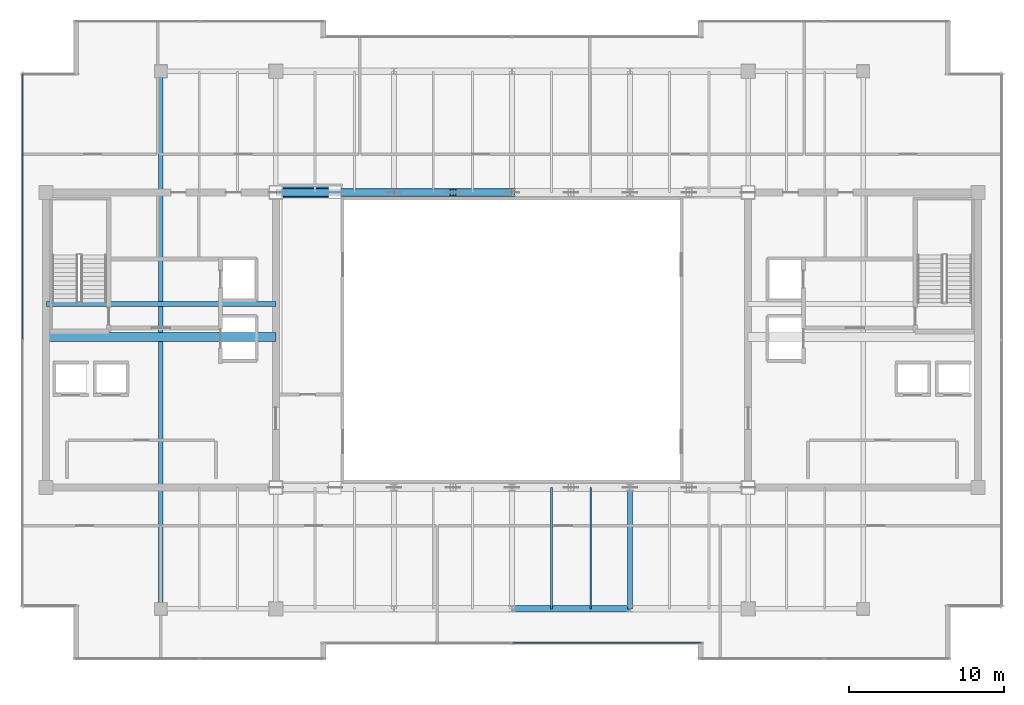
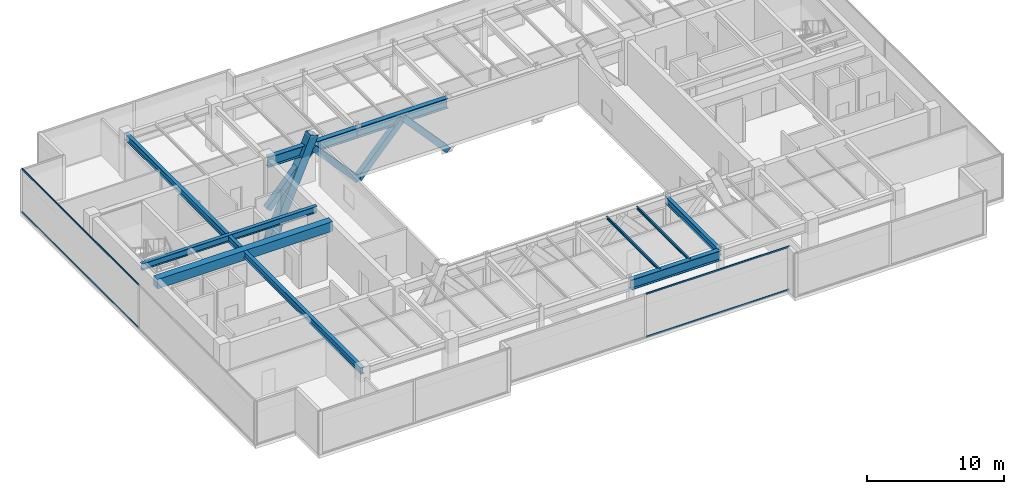
# One storey, part 10 of 32: 9 beams, 9 members, 2 elements without a shape of their own.
"""IFC4 building model written with IfcOpenShell, lengths in metres."""

from ifc_helpers import new_model, si_unit, direction, frame, origin, origin_2d, place, context, subcontext, project, spatial, rectangle, hollow_rectangle, i_section, extrude, source, transform, mapped, material, layer, layer_set, material_profile, profile_set, type_object, type_shapes, element, aggregate, save


model = new_model("IFC4")

# Units and contexts
model_context = context("Model", 3, precision=1e-05, world=origin(), true_north=direction((0.0, 1.0)))
body_context = subcontext(model_context, "Body", "Model", "MODEL_VIEW")
ifc_project = project(units=[si_unit("LENGTHUNIT", "METRE"), si_unit("AREAUNIT", "SQUARE_METRE"), si_unit("VOLUMEUNIT", "CUBIC_METRE"), si_unit("PLANEANGLEUNIT", "RADIAN"), si_unit("MASSUNIT", "GRAM", prefix="KILO")], contexts=[model_context])

# Site, building, storey
site_placement = place(None, origin())
site = spatial("IfcSite", under=ifc_project, at=site_placement, CompositionType="ELEMENT")
building_placement = place(site_placement, origin())
building = spatial("IfcBuilding", under=site, at=building_placement, Name="Haelvirn Gate Laboratories", CompositionType="ELEMENT")
storey_placement = place(building_placement, frame((0.0, 0.0, 301.800048828125)))
storey = spatial("IfcBuildingStorey", under=building, at=storey_placement, Name="L72", CompositionType="ELEMENT", Elevation=301.800048828125)

# Beams
ifc_material_1 = material(Name="Steel SM355", Category="steel")
ifc_material_profile_1 = material_profile(ifc_material_1, i_section(OverallWidth=0.300048828125, OverallDepth=0.587890625, WebThickness=0.011962890625, FlangeThickness=0.02001953125, at=origin_2d()), Name="H-588x300x12x20")
ifc_profile_set_1 = profile_set([ifc_material_profile_1], Name="Steel SM355")
beam_type_1 = type_object("IfcBeamType", Name="BM-G-588", PredefinedType="BEAM", material=ifc_profile_set_1)
shared_shape_1 = source(origin(), body_context, "Body", "SweptSolid", [
    extrude(i_section(OverallWidth=0.300048828125, OverallDepth=0.587890625, WebThickness=0.011962890625, FlangeThickness=0.02001953125, at=origin_2d()), origin(), (0.0, 0.0, 1.0), 14.800048828125),
])
beam_1_placement = place(storey_placement, frame((7.39990234375, 26.6201171875, 3.60595703125), z_axis=(1.0, 0.0, 0.0), x_axis=(0.0, 1.0, 0.0)))
element("IfcBeam", 1, at=beam_1_placement, inside=storey, type_object=beam_type_1, Name="L72 Stair ST1 Landing Header", PredefinedType="BEAM", context=body_context, shape_type="MappedRepresentation", body=[
    mapped(shared_shape_1, transform((0.0, 0.0, 0.0), scale=1.0)),
])
ifc_material_2 = material(Name="Steel SM420", Category="steel")
ifc_material_profile_2 = material_profile(ifc_material_2, i_section(OverallWidth=0.39990234375, OverallDepth=0.89990234375, WebThickness=0.01904296875, FlangeThickness=0.031982421875, at=origin_2d()), Name="H-900x400x19x32")
ifc_profile_set_2 = profile_set([ifc_material_profile_2], Name="Steel SM420")
beam_type_2 = type_object("IfcBeamType", Name="BM-TG-900", PredefinedType="BEAM", material=ifc_profile_set_2)
shared_shape_2 = source(origin(), body_context, "Body", "SweptSolid", [
    extrude(i_section(OverallWidth=0.39990234375, OverallDepth=0.89990234375, WebThickness=0.01904296875, FlangeThickness=0.031982421875, at=origin_2d()), origin(), (0.0, 0.0, 1.0), 7.60009765625),
])
for number, where, z_axis, x_axis, name in (
    (2, (37.39990234375, 7.0, 3.449951171875), (1.0, 0.0, 0.0), (0.0, 1.0, 0.0), "L72 Primary Girder Y7.0 (37.4-45.0)"),
    (3, (22.199951171875, 33.800048828125, 3.449951171875), (1.0, 0.0, 0.0), (0.0, 1.0, 0.0), "L72 Primary Girder Y33.8 (22.2-29.8)"),
):
    element("IfcBeam", number, at=place(storey_placement, frame(where, z_axis=z_axis, x_axis=x_axis)), inside=storey, type_object=beam_type_2, Name=name, PredefinedType="BEAM", context=body_context, shape_type="MappedRepresentation", body=[
        mapped(shared_shape_2, transform((0.0, 0.0, 0.0), scale=1.0)),
    ])
shared_shape_3 = source(origin(), body_context, "Body", "SweptSolid", [
    extrude(i_section(OverallWidth=0.39990234375, OverallDepth=0.89990234375, WebThickness=0.01904296875, FlangeThickness=0.031982421875, at=origin_2d()), origin(), (0.0, 0.0, 1.0), 7.599853515625),
])
type_shapes(beam_type_2, [shared_shape_2, shared_shape_3])
beam_2_placement = place(storey_placement, frame((29.800048828125, 33.800048828125, 3.449951171875), z_axis=(1.0, 0.0, 0.0), x_axis=(0.0, 1.0, 0.0)))
element("IfcBeam", 4, at=beam_2_placement, inside=storey, type_object=beam_type_2, Name="L72 Primary Girder Y33.8 (29.8-37.4)", PredefinedType="BEAM", context=body_context, shape_type="MappedRepresentation", body=[
    mapped(shared_shape_3, transform((0.0, 0.0, 0.0), scale=1.0)),
])
shared_shape_4 = source(origin(), body_context, "Body", "SweptSolid", [
    extrude(i_section(OverallWidth=0.300048828125, OverallDepth=0.587890625, WebThickness=0.011962890625, FlangeThickness=0.02001953125, at=origin_2d()), origin(), (0.0, 0.0, 1.0), 34.60009765625),
])
beam_3_placement = place(storey_placement, frame((14.800048828125, 7.0, 3.60595703125), z_axis=(0.0, 1.0, 0.0), x_axis=(-1.0, 0.0, 0.0)))
element("IfcBeam", 5, at=beam_3_placement, inside=storey, type_object=beam_type_1, Name="L72 Frame Girder X14.8 (7.0-41.6)", PredefinedType="BEAM", context=body_context, shape_type="MappedRepresentation", body=[
    mapped(shared_shape_4, transform((0.0, 0.0, 0.0), scale=1.0)),
])
shared_shape_5 = source(origin(), body_context, "Body", "SweptSolid", [
    extrude(i_section(OverallWidth=0.300048828125, OverallDepth=0.587890625, WebThickness=0.011962890625, FlangeThickness=0.02001953125, at=origin_2d()), origin(), (0.0, 0.0, 1.0), 7.800048828125),
])
type_shapes(beam_type_1, [shared_shape_1, shared_shape_4, shared_shape_5])
beam_4_placement = place(storey_placement, frame((45.0, 7.0, 3.60595703125), z_axis=(0.0, 1.0, 0.0), x_axis=(-1.0, 0.0, 0.0)))
element("IfcBeam", 6, at=beam_4_placement, inside=storey, type_object=beam_type_1, Name="L72 Frame Girder X45.0 (7.0-14.8)", PredefinedType="BEAM", context=body_context, shape_type="MappedRepresentation", body=[
    mapped(shared_shape_5, transform((0.0, 0.0, 0.0), scale=1.0)),
])
ifc_material_3 = material(Name="Concrete C50/60", Category="concrete")
ifc_material_profile_3 = material_profile(ifc_material_3, rectangle(XDim=0.60009765625, YDim=0.85009765625, at=origin_2d()), Name="RCB-600x850")
ifc_profile_set_3 = profile_set([ifc_material_profile_3], Name="Concrete C50/60")
beam_type_3 = type_object("IfcBeamType", Name="BM-RCB-850", PredefinedType="LINTEL", material=ifc_profile_set_3)
shared_shape_6 = source(origin(), body_context, "Body", "SweptSolid", [
    extrude(rectangle(XDim=0.60009765625, YDim=0.85009765625, at=origin_2d()), origin(), (0.0, 0.0, 1.0), 14.800048828125),
])
type_shapes(beam_type_3, [shared_shape_6])
beam_5_placement = place(storey_placement, frame((7.39990234375, 24.5, 3.474853515625), z_axis=(1.0, 0.0, 0.0), x_axis=(0.0, 1.0, 0.0)))
element("IfcBeam", 7, at=beam_5_placement, inside=storey, type_object=beam_type_3, Name="L72 West Core Coupling Beam", PredefinedType="LINTEL", context=body_context, shape_type="MappedRepresentation", body=[
    mapped(shared_shape_6, transform((0.0, 0.0, 0.0), scale=1.0)),
])
ifc_material_profile_4 = material_profile(ifc_material_1, i_section(OverallWidth=0.125, OverallDepth=0.25, WebThickness=0.006103515625, FlangeThickness=0.009033203125, at=origin_2d()), Name="H-250x125x6x9")
ifc_profile_set_4 = profile_set([ifc_material_profile_4], Name="Steel SM355")
beam_type_4 = type_object("IfcBeamType", Name="BM-J-250", PredefinedType="JOIST", material=ifc_profile_set_4)
shared_shape_7 = source(origin(), body_context, "Body", "SweptSolid", [
    extrude(i_section(OverallWidth=0.125, OverallDepth=0.25, WebThickness=0.006103515625, FlangeThickness=0.009033203125, at=origin_2d()), origin(), (0.0, 0.0, 1.0), 7.800048828125),
])
type_shapes(beam_type_4, [shared_shape_7])
for number, where, z_axis, x_axis, name in (
    (8, (39.929931640625, 7.0, 3.77490234375), (0.0, 1.0, 0.0), (-1.0, 0.0, 0.0), "L72 Composite Lab Joist South X39.93"),
    (9, (42.469970703125, 7.0, 3.77490234375), (0.0, 1.0, 0.0), (-1.0, 0.0, 0.0), "L72 Composite Lab Joist South X42.47"),
):
    element("IfcBeam", number, at=place(storey_placement, frame(where, z_axis=z_axis, x_axis=x_axis)), inside=storey, type_object=beam_type_4, Name=name, PredefinedType="JOIST", context=body_context, shape_type="MappedRepresentation", body=[
        mapped(shared_shape_7, transform((0.0, 0.0, 0.0), scale=1.0)),
    ])

# Members
ifc_material_profile_5 = material_profile(ifc_material_2, hollow_rectangle(XDim=0.699951171875, YDim=0.699951171875, WallThickness=0.031982421875, at=origin_2d()), Name="BOX-700x700x32")
ifc_profile_set_5 = profile_set([ifc_material_profile_5], Name="Steel SM420")
member_type_1 = type_object("IfcMemberType", Name="MEM-ARCH-RIB", PredefinedType="CHORD", material=ifc_profile_set_5)
shared_shape_8 = source(origin(), body_context, "Body", "SweptSolid", [
    extrude(hollow_rectangle(XDim=0.699951171875, YDim=0.699951171875, WallThickness=0.031982421875, at=origin_2d()), origin(), (0.0, 0.0, 1.0), 9.639892578125),
])
type_shapes(member_type_1, [shared_shape_8])
member_1_placement = place(storey_placement, frame((22.199951171875, 33.800048828125, -4.199951171875), z_axis=(0.394197428644, 0.0, 0.919025781603), x_axis=(0.0, 1.0, 0.0)))
element("IfcMember", 10, at=member_1_placement, inside=storey, type_object=member_type_1, Name="Parabolic Steel Arch Rib Y33.8 Seg 1", PredefinedType="CHORD", context=body_context, shape_type="MappedRepresentation", body=[
    mapped(shared_shape_8, transform((0.0, 0.0, 0.0), scale=1.0)),
])
ifc_material_profile_6 = material_profile(ifc_material_2, hollow_rectangle(XDim=0.5, YDim=0.5, WallThickness=0.02197265625, at=origin_2d()), Name="BOX-500x500x22")
ifc_profile_set_6 = profile_set([ifc_material_profile_6], Name="Steel SM420")
member_type_2 = type_object("IfcMemberType", Name="MEM-ARCH-WEB", PredefinedType="BRACE", material=ifc_profile_set_6)
shared_shape_9 = source(origin(), body_context, "Body", "SweptSolid", [
    extrude(hollow_rectangle(XDim=0.5, YDim=0.5, WallThickness=0.02197265625, at=origin_2d()), origin(), (0.0, 0.0, 1.0), 5.663818359375),
])
type_shapes(member_type_2, [shared_shape_9])
for number, where, z_axis, x_axis, name in (
    (11, (22.199951171875, 33.800048828125, -0.75), (0.670922353302, 0.0, 0.741527609628), (0.0, 1.0, 0.0), "L72 Arch Truss Chevron Web Y33.8-1A"),
    (12, (26.0, 33.800048828125, 3.449951171875), (0.670922353302, 0.0, -0.741527609628), (0.0, 1.0, 0.0), "L72 Arch Truss Chevron Web Y33.8-1B"),
    (13, (29.800048828125, 33.800048828125, -0.75), (0.670922353302, 0.0, 0.741527609628), (0.0, 1.0, 0.0), "L72 Arch Truss Chevron Web Y33.8-2A"),
    (14, (33.60009765625, 33.800048828125, 3.449951171875), (0.670898650667, 0.0, -0.741549054705), (0.0, 1.0, 0.0), "L72 Arch Truss Chevron Web Y33.8-2B"),
):
    element("IfcMember", number, at=place(storey_placement, frame(where, z_axis=z_axis, x_axis=x_axis)), inside=storey, type_object=member_type_2, Name=name, PredefinedType="BRACE", context=body_context, shape_type="MappedRepresentation", body=[
        mapped(shared_shape_9, transform((0.0, 0.0, 0.0), scale=1.0)),
    ])

# Curtain wall, members
ifc_material_4 = material(Name="Anodised bronze unitised aluminium & triple low-E glass", Category="aluminium")
ifc_layer = layer(ifc_material_4, 0.176025390625, Name="CW-SYS-4")
ifc_layer_set = layer_set([ifc_layer], Name="Anodised bronze unitised aluminium & triple low-E glass")
curtain_wall_type = type_object("IfcCurtainWallType", Name="CW-SYS-4", PredefinedType="NOTDEFINED", material=ifc_layer_set)
curtain_wall_1_placement = place(storey_placement, origin())
curtain_wall_1 = element("IfcCurtainWall", 15, at=curtain_wall_1_placement, inside=storey, type_object=curtain_wall_type, Name="L72 Unitised Curtain Wall CW-L72-P0-E02-1", PredefinedType="NOTDEFINED")
ifc_material_5 = material(Name="Extruded aluminium 6063-T6 (anodised bronze)", Category="aluminium")
ifc_material_profile_7 = material_profile(ifc_material_5, hollow_rectangle(XDim=0.06494140625, YDim=0.139892578125, WallThickness=0.00390625, at=origin_2d()), Name="CWT-140x65x4")
ifc_profile_set_7 = profile_set([ifc_material_profile_7], Name="Extruded aluminium 6063-T6 (anodised bronze)")
member_type_3 = type_object("IfcMemberType", Name="CWT-T140", PredefinedType="USERDEFINED", material=ifc_profile_set_7)
shared_shape_10 = source(origin(), body_context, "Body", "SweptSolid", [
    extrude(hollow_rectangle(XDim=0.06494140625, YDim=0.139892578125, WallThickness=0.00390625, at=origin_2d()), origin(), (0.0, 0.0, 1.0), 12.135009765625),
])
member_2_placement = place(storey_placement, frame((37.43505859375, 4.800048828125, 0.032470703125), z_axis=(1.0, 0.0, 0.0), x_axis=(0.0, 1.0, 0.0)))
member_2 = element("IfcMember", 16, at=member_2_placement, type_object=member_type_3, Name="CW4 transom 2.1", ObjectType="TRANSOM", PredefinedType="USERDEFINED", context=body_context, shape_type="MappedRepresentation", body=[
    mapped(shared_shape_10, transform((0.0, 0.0, 0.0), scale=1.0)),
])
member_3_placement = place(storey_placement, frame((37.43505859375, 4.800048828125, 3.867431640625), z_axis=(1.0, 0.0, 0.0), x_axis=(0.0, 1.0, 0.0)))
member_3 = element("IfcMember", 17, at=member_3_placement, type_object=member_type_3, Name="CW4 transom 2.2", ObjectType="TRANSOM", PredefinedType="USERDEFINED", context=body_context, shape_type="MappedRepresentation", body=[
    mapped(shared_shape_10, transform((0.0, 0.0, 0.0), scale=1.0)),
])
aggregate(curtain_wall_1, [member_2, member_3])

curtain_wall_2_placement = place(storey_placement, origin())
curtain_wall_2 = element("IfcCurtainWall", 18, at=curtain_wall_2_placement, inside=storey, type_object=curtain_wall_type, Name="L72 Unitised Curtain Wall CW-L72-P0-E17", PredefinedType="NOTDEFINED")
shared_shape_11 = source(origin(), body_context, "Body", "SweptSolid", [
    extrude(hollow_rectangle(XDim=0.06494140625, YDim=0.139892578125, WallThickness=0.00390625, at=origin_2d()), origin(), (0.0, 0.0, 1.0), 17.094970703125),
])
type_shapes(member_type_3, [shared_shape_10, shared_shape_11])
member_4_placement = place(storey_placement, frame((5.89990234375, 41.429931640625, 0.032470703125), z_axis=(0.0, -1.0, 0.0), x_axis=(1.0, 0.0, 0.0)))
member_4 = element("IfcMember", 19, at=member_4_placement, type_object=member_type_3, Name="CW4 transom 1.1", ObjectType="TRANSOM", PredefinedType="USERDEFINED", context=body_context, shape_type="MappedRepresentation", body=[
    mapped(shared_shape_11, transform((0.0, 0.0, 0.0), scale=1.0)),
])
member_5_placement = place(storey_placement, frame((5.89990234375, 41.429931640625, 3.867431640625), z_axis=(0.0, -1.0, 0.0), x_axis=(1.0, 0.0, 0.0)))
member_5 = element("IfcMember", 20, at=member_5_placement, type_object=member_type_3, Name="CW4 transom 1.2", ObjectType="TRANSOM", PredefinedType="USERDEFINED", context=body_context, shape_type="MappedRepresentation", body=[
    mapped(shared_shape_11, transform((0.0, 0.0, 0.0), scale=1.0)),
])
aggregate(curtain_wall_2, [member_4, member_5])

save(model, "model.ifc")
